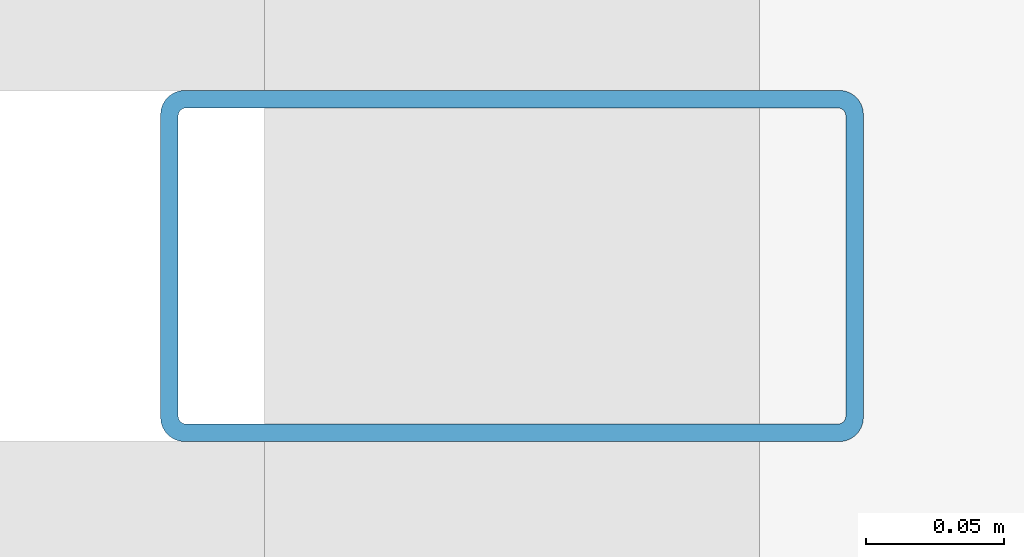
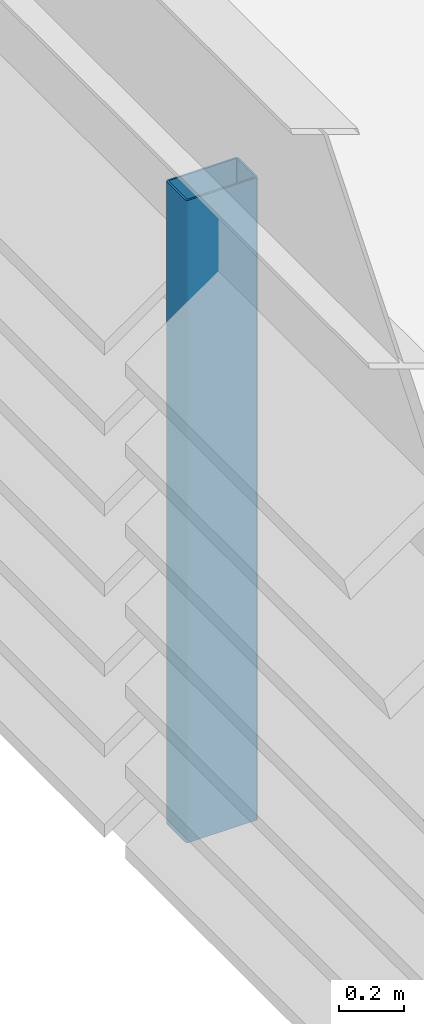
# One storey, part 8 of 46: 1 member.
"""IFC4 building model written with IfcOpenShell, lengths in metres."""

from ifc_helpers import new_model, si_unit, direction, frame, origin, origin_2d, place, context, subcontext, project, spatial, hollow_rectangle, extrude, material, material_profile, profile_set, type_object, element, save


model = new_model("IFC4")

# Units and contexts
model_context = context("Model", 3, precision=1e-05, world=origin(), true_north=direction((0.0, 1.0)))
body_context = subcontext(model_context, "Body", "Model", "MODEL_VIEW")
ifc_project = project(units=[si_unit("LENGTHUNIT", "METRE"), si_unit("AREAUNIT", "SQUARE_METRE"), si_unit("VOLUMEUNIT", "CUBIC_METRE"), si_unit("PLANEANGLEUNIT", "RADIAN"), si_unit("MASSUNIT", "GRAM", prefix="KILO")], contexts=[model_context])

# Site, building, storey
site_placement = place(None, origin())
site = spatial("IfcSite", under=ifc_project, at=site_placement, CompositionType="ELEMENT")
building_placement = place(site_placement, origin())
building = spatial("IfcBuilding", under=site, at=building_placement, Name="Madar Terraces", CompositionType="ELEMENT")
storey_placement = place(building_placement, frame((0.0, 0.0, 317.300048828125)))
storey = spatial("IfcBuildingStorey", under=building, at=storey_placement, Name="L82", CompositionType="ELEMENT", Elevation=317.300048828125)

# Member
ifc_material = material(Name="Steel ASTM A500 Grade C", Category="steel")
ifc_material_profile = material_profile(ifc_material, hollow_rectangle(XDim=0.126953125, YDim=0.25390625, WallThickness=0.00634765625, InnerFilletRadius=0.0029296875, OuterFilletRadius=0.0087890625, at=origin_2d()), Name="HSS10x5x.25")
ifc_profile_set = profile_set([ifc_material_profile], Name="Steel ASTM A500 Grade C")
member_type = type_object("IfcMemberType", Name="LS2 HSS10x5x.25", PredefinedType="POST", material=ifc_profile_set)
member_placement = place(storey_placement, frame((1.199951171875, 19.5, 0.0), z_axis=(0.0, 0.0, 1.0), x_axis=(0.0, -1.0, 0.0)))
element("IfcMember", 1, at=member_placement, inside=storey, type_object=member_type, Name="Crown louvre post LS2", PredefinedType="POST", context=body_context, shape_type="SweptSolid", body=[
    extrude(hollow_rectangle(XDim=0.126953125, YDim=0.25390625, WallThickness=0.00634765625, InnerFilletRadius=0.0029296875, OuterFilletRadius=0.0087890625, at=origin_2d()), origin(), (0.0, 0.0, 1.0), 2.39794921875),
])

save(model, "model.ifc")
